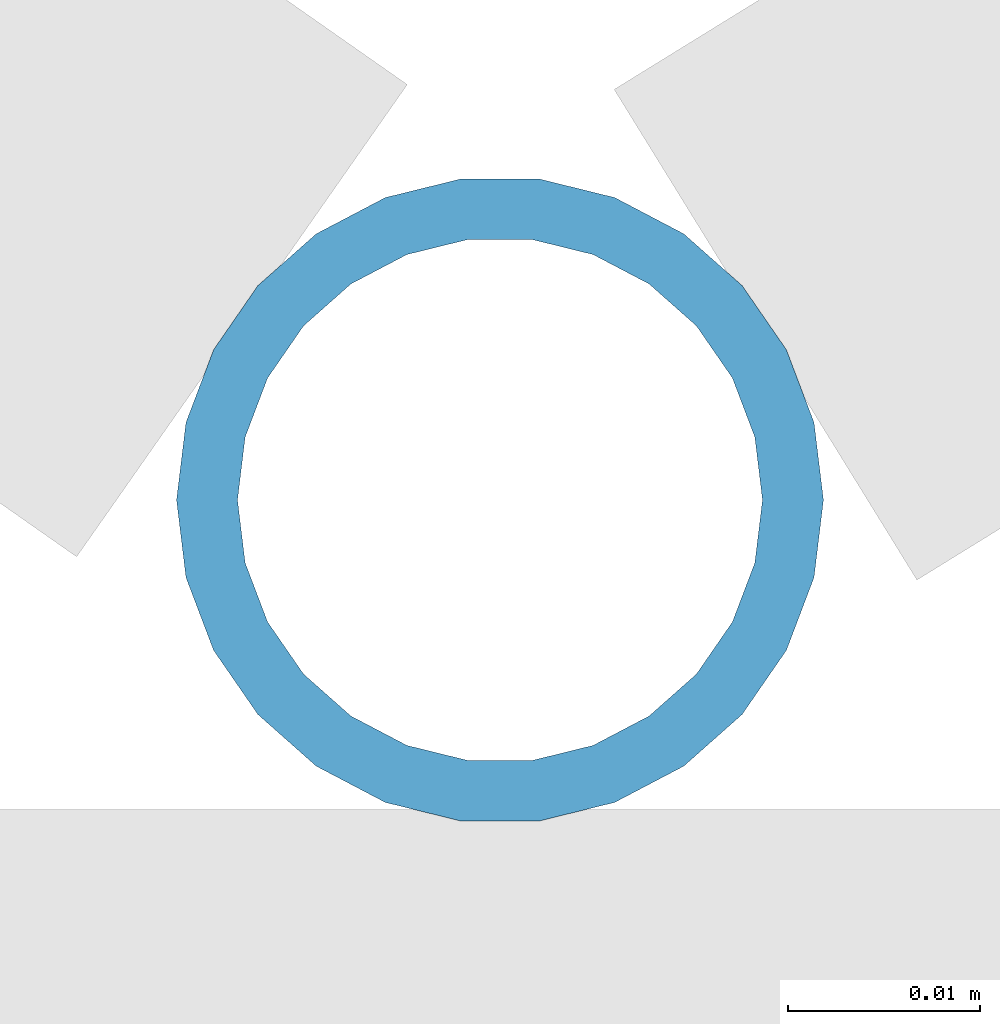
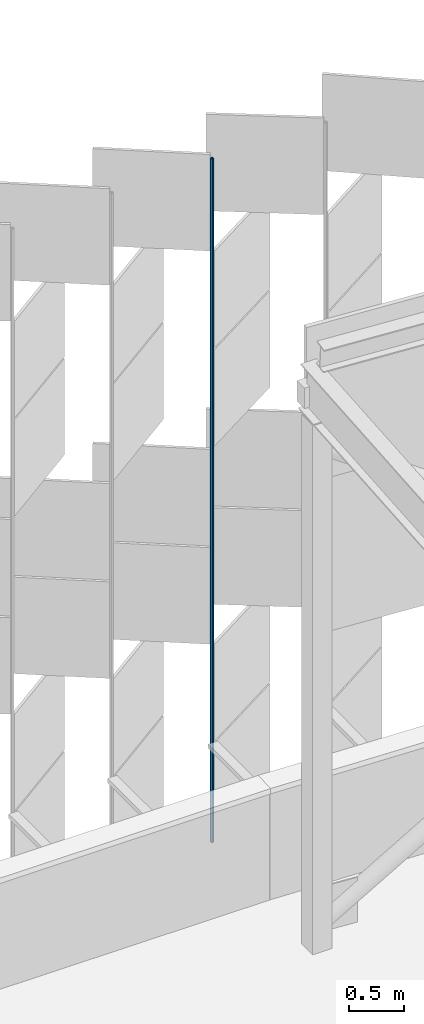
# One storey, part 387 of 483: 1 discrete accessory.
"""IFC4 building model written with IfcOpenShell, lengths in metres."""

from ifc_helpers import new_model, si_unit, direction, frame, origin, origin_2d, place, context, subcontext, project, spatial, hollow_circle, extrude, material, material_profile, profile_set, type_object, element, save


model = new_model("IFC4")

# Units and contexts
model_context = context("Model", 3, precision=1e-05, world=origin(), true_north=direction((0.0, 1.0)))
body_context = subcontext(model_context, "Body", "Model", "MODEL_VIEW")
ifc_project = project(units=[si_unit("LENGTHUNIT", "METRE"), si_unit("AREAUNIT", "SQUARE_METRE"), si_unit("VOLUMEUNIT", "CUBIC_METRE"), si_unit("PLANEANGLEUNIT", "RADIAN"), si_unit("MASSUNIT", "GRAM", prefix="KILO")], contexts=[model_context])

# Site, building, storey
site_placement = place(None, origin())
site = spatial("IfcSite", under=ifc_project, at=site_placement, CompositionType="ELEMENT")
building_placement = place(site_placement, origin())
building = spatial("IfcBuilding", under=site, at=building_placement, Name="Parallax Yard Mobility Hub", CompositionType="ELEMENT")
storey_placement = place(building_placement, frame((0.0, 0.0, 13.199951171875)))
storey = spatial("IfcBuildingStorey", under=building, at=storey_placement, Name="L04", CompositionType="ELEMENT", Elevation=13.199951171875)

# Discrete accessory
ifc_material = material(Name="Steel ASTM A500 Gr C, hot-dip galvanised", Category="steel")
ifc_material_profile = material_profile(ifc_material, hollow_circle(Radius=0.016845703125, WallThickness=0.003173828125, at=origin_2d()), Name="CHS 33.7x3.2")
ifc_profile_set = profile_set([ifc_material_profile], Name="Steel ASTM A500 Gr C, hot-dip galvanised")
discrete_accessory_type = type_object("IfcDiscreteAccessoryType", Name="Hinge post CHS 33.7x3.2", PredefinedType="BRACKET", material=ifc_profile_set)
discrete_accessory_placement = place(storey_placement, frame((172.501953125, 143.32373046875, 0.0), z_axis=(0.0, 0.0, 1.0), x_axis=(1.0, 0.0, 0.0)))
element("IfcDiscreteAccessory", 1, at=discrete_accessory_placement, inside=storey, type_object=discrete_accessory_type, Name="Hinge post bay 51.1 level L04", PredefinedType="BRACKET", context=body_context, shape_type="SweptSolid", body=[
    extrude(hollow_circle(Radius=0.016845703125, WallThickness=0.003173828125, at=origin_2d()), origin(), (0.0, 0.0, 1.0), 7.650146484375),
])

save(model, "model.ifc")
